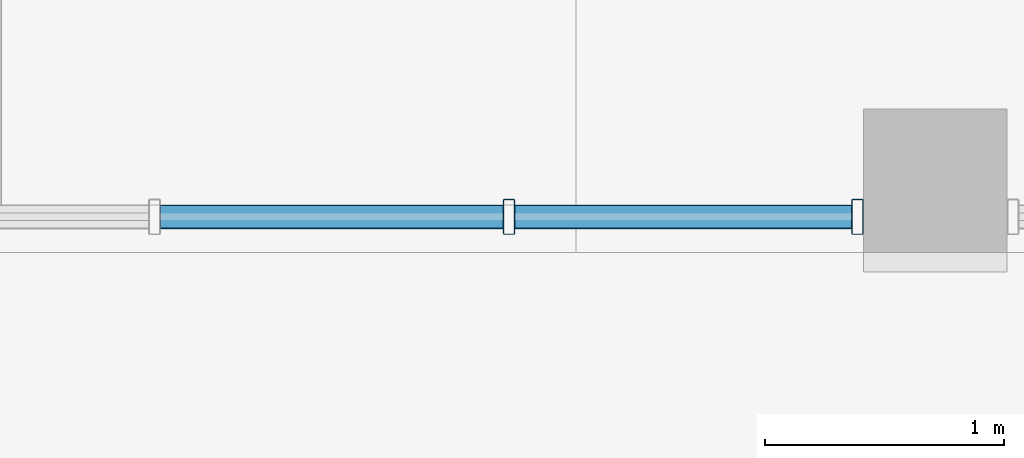
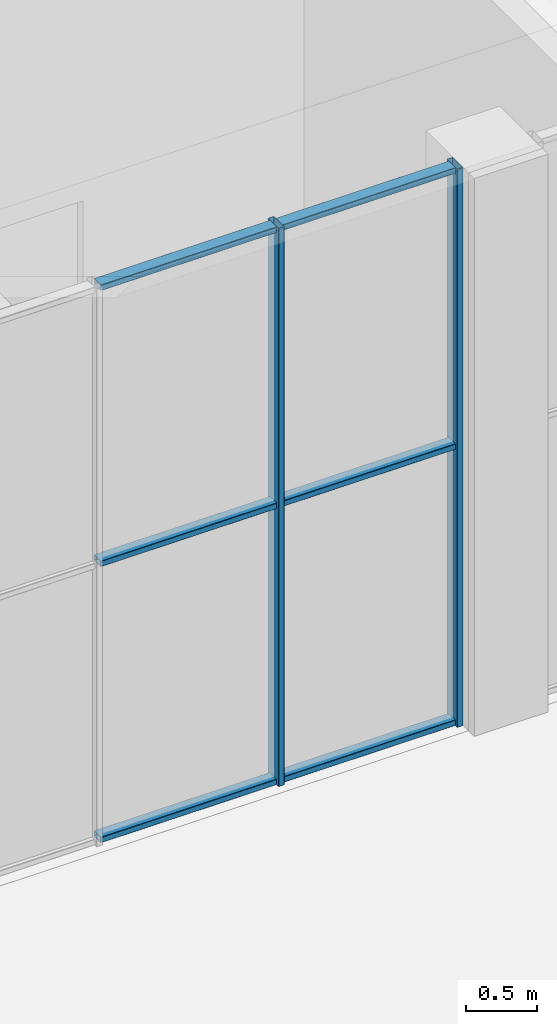
# One storey, part 12 of 125: 8 members, 1 element without a shape of its own.
"""IFC4 building model written with IfcOpenShell, lengths in metres."""

from ifc_helpers import new_model, si_unit, direction, frame, origin, origin_2d, place, context, subcontext, project, spatial, hollow_rectangle, extrude, material, material_profile, profile_set, type_object, element, aggregate, save


model = new_model("IFC4")

# Units and contexts
model_context = context("Model", 3, precision=1e-05, world=origin(), true_north=direction((0.0, 1.0)))
body_context = subcontext(model_context, "Body", "Model", "MODEL_VIEW")
ifc_project = project(units=[si_unit("LENGTHUNIT", "METRE"), si_unit("AREAUNIT", "SQUARE_METRE"), si_unit("VOLUMEUNIT", "CUBIC_METRE"), si_unit("PLANEANGLEUNIT", "RADIAN"), si_unit("MASSUNIT", "GRAM", prefix="KILO")], contexts=[model_context])

# Site, building, storey
site_placement = place(None, origin())
site = spatial("IfcSite", under=ifc_project, at=site_placement, CompositionType="ELEMENT")
building_placement = place(site_placement, origin())
building = spatial("IfcBuilding", under=site, at=building_placement, Name="Sun Court Science Centre", CompositionType="ELEMENT")
storey_placement = place(building_placement, origin())
storey = spatial("IfcBuildingStorey", under=building, at=storey_placement, Name="L00", CompositionType="ELEMENT", Elevation=0.0)

# Curtain wall, members
ifc_material_1 = material(Name="Aluminium EN AW-6063 T6", Category="aluminium")
curtain_wall_type = type_object("IfcCurtainWallType", Name="Foyer curtain wall 1500", PredefinedType="NOTDEFINED", material=ifc_material_1)
curtain_wall_placement = place(storey_placement, origin())
curtain_wall = element("IfcCurtainWall", 1, at=curtain_wall_placement, inside=storey, type_object=curtain_wall_type, Name="Curtain wall V3 S L00 02", PredefinedType="NOTDEFINED")
ifc_material_2 = material(Name="Aluminium EN AW-6063 T6", Category="aluminium")
ifc_material_profile_1 = material_profile(ifc_material_2, hollow_rectangle(XDim=0.050048828125, YDim=0.14990234375, WallThickness=0.00390625, InnerFilletRadius=0.00390625, OuterFilletRadius=0.006103515625, at=origin_2d()), Name="AL 50x150x4")
ifc_profile_set_1 = profile_set([ifc_material_profile_1], Name="Aluminium EN AW-6063 T6")
member_type_1 = type_object("IfcMemberType", Name="Curtain wall mullion AL 50x150", PredefinedType="MULLION", material=ifc_profile_set_1)
member_1_placement = place(storey_placement, frame((14.219970703125, 40.14990234375, 0.0), z_axis=(0.0, 0.0, 1.0), x_axis=(-1.0, 0.0, 0.0)))
member_1 = element("IfcMember", 2, at=member_1_placement, type_object=member_type_1, Name="CW1-04 mullion 2", PredefinedType="MULLION", context=body_context, shape_type="SweptSolid", body=[
    extrude(hollow_rectangle(XDim=0.050048828125, YDim=0.14990234375, WallThickness=0.00390625, InnerFilletRadius=0.00390625, OuterFilletRadius=0.006103515625, at=origin_2d()), origin(), (0.0, 0.0, 1.0), 4.800048828125),
])
member_2_placement = place(storey_placement, frame((15.675048828125, 40.14990234375, 0.0), z_axis=(0.0, 0.0, 1.0), x_axis=(-1.0, 0.0, 0.0)))
member_2 = element("IfcMember", 3, at=member_2_placement, type_object=member_type_1, Name="CW1-04 mullion 1", PredefinedType="MULLION", context=body_context, shape_type="SweptSolid", body=[
    extrude(hollow_rectangle(XDim=0.050048828125, YDim=0.14990234375, WallThickness=0.00390625, InnerFilletRadius=0.00390625, OuterFilletRadius=0.006103515625, at=origin_2d()), origin(), (0.0, 0.0, 1.0), 4.800048828125),
])
ifc_material_3 = material(Name="Aluminium EN AW-6063 T6", Category="aluminium")
ifc_material_profile_2 = material_profile(ifc_material_3, hollow_rectangle(XDim=0.050048828125, YDim=0.10009765625, WallThickness=0.00390625, InnerFilletRadius=0.00390625, OuterFilletRadius=0.006103515625, at=origin_2d()), Name="AL 50x100x4")
ifc_profile_set_2 = profile_set([ifc_material_profile_2], Name="Aluminium EN AW-6063 T6")
member_type_2 = type_object("IfcMemberType", Name="Curtain wall transom AL 50x100", PredefinedType="USERDEFINED", material=ifc_profile_set_2)
member_3_placement = place(storey_placement, frame((14.195068359375, 40.14990234375, 0.02490234375), z_axis=(-1.0, 0.0, 0.0), x_axis=(0.0, 0.0, 1.0)))
member_3 = element("IfcMember", 4, at=member_3_placement, type_object=member_type_2, Name="CW1-04 transom 2.1", ObjectType="TRANSOM", PredefinedType="USERDEFINED", context=body_context, shape_type="SweptSolid", body=[
    extrude(hollow_rectangle(XDim=0.050048828125, YDim=0.10009765625, WallThickness=0.00390625, InnerFilletRadius=0.00390625, OuterFilletRadius=0.006103515625, at=origin_2d()), origin(), (0.0, 0.0, 1.0), 1.43017578125),
])
member_4_placement = place(storey_placement, frame((15.64990234375, 40.14990234375, 0.02490234375), z_axis=(-1.0, 0.0, 0.0), x_axis=(0.0, 0.0, 1.0)))
member_4 = element("IfcMember", 5, at=member_4_placement, type_object=member_type_2, Name="CW1-04 transom 1.1", ObjectType="TRANSOM", PredefinedType="USERDEFINED", context=body_context, shape_type="SweptSolid", body=[
    extrude(hollow_rectangle(XDim=0.050048828125, YDim=0.10009765625, WallThickness=0.00390625, InnerFilletRadius=0.00390625, OuterFilletRadius=0.006103515625, at=origin_2d()), origin(), (0.0, 0.0, 1.0), 1.40478515625),
])
member_5_placement = place(storey_placement, frame((14.195068359375, 40.14990234375, 2.39990234375), z_axis=(-1.0, 0.0, 0.0), x_axis=(0.0, 0.0, 1.0)))
member_5 = element("IfcMember", 6, at=member_5_placement, type_object=member_type_2, Name="CW1-04 transom 2.2", ObjectType="TRANSOM", PredefinedType="USERDEFINED", context=body_context, shape_type="SweptSolid", body=[
    extrude(hollow_rectangle(XDim=0.050048828125, YDim=0.10009765625, WallThickness=0.00390625, InnerFilletRadius=0.00390625, OuterFilletRadius=0.006103515625, at=origin_2d()), origin(), (0.0, 0.0, 1.0), 1.43017578125),
])
member_6_placement = place(storey_placement, frame((15.64990234375, 40.14990234375, 2.39990234375), z_axis=(-1.0, 0.0, 0.0), x_axis=(0.0, 0.0, 1.0)))
member_6 = element("IfcMember", 7, at=member_6_placement, type_object=member_type_2, Name="CW1-04 transom 1.2", ObjectType="TRANSOM", PredefinedType="USERDEFINED", context=body_context, shape_type="SweptSolid", body=[
    extrude(hollow_rectangle(XDim=0.050048828125, YDim=0.10009765625, WallThickness=0.00390625, InnerFilletRadius=0.00390625, OuterFilletRadius=0.006103515625, at=origin_2d()), origin(), (0.0, 0.0, 1.0), 1.40478515625),
])
member_7_placement = place(storey_placement, frame((14.195068359375, 40.14990234375, 4.77490234375), z_axis=(-1.0, 0.0, 0.0), x_axis=(0.0, 0.0, 1.0)))
member_7 = element("IfcMember", 8, at=member_7_placement, type_object=member_type_2, Name="CW1-04 transom 2.3", ObjectType="TRANSOM", PredefinedType="USERDEFINED", context=body_context, shape_type="SweptSolid", body=[
    extrude(hollow_rectangle(XDim=0.050048828125, YDim=0.10009765625, WallThickness=0.00390625, InnerFilletRadius=0.00390625, OuterFilletRadius=0.006103515625, at=origin_2d()), origin(), (0.0, 0.0, 1.0), 1.43017578125),
])
member_8_placement = place(storey_placement, frame((15.64990234375, 40.14990234375, 4.77490234375), z_axis=(-1.0, 0.0, 0.0), x_axis=(0.0, 0.0, 1.0)))
member_8 = element("IfcMember", 9, at=member_8_placement, type_object=member_type_2, Name="CW1-04 transom 1.3", ObjectType="TRANSOM", PredefinedType="USERDEFINED", context=body_context, shape_type="SweptSolid", body=[
    extrude(hollow_rectangle(XDim=0.050048828125, YDim=0.10009765625, WallThickness=0.00390625, InnerFilletRadius=0.00390625, OuterFilletRadius=0.006103515625, at=origin_2d()), origin(), (0.0, 0.0, 1.0), 1.40478515625),
])
aggregate(curtain_wall, [member_1, member_2, member_3, member_4, member_5, member_6, member_7, member_8])

save(model, "model.ifc")
